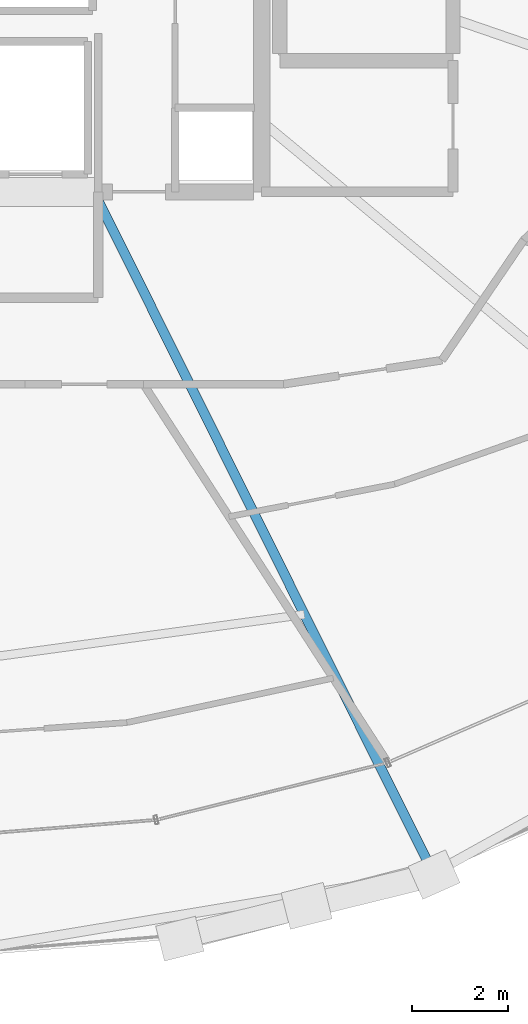
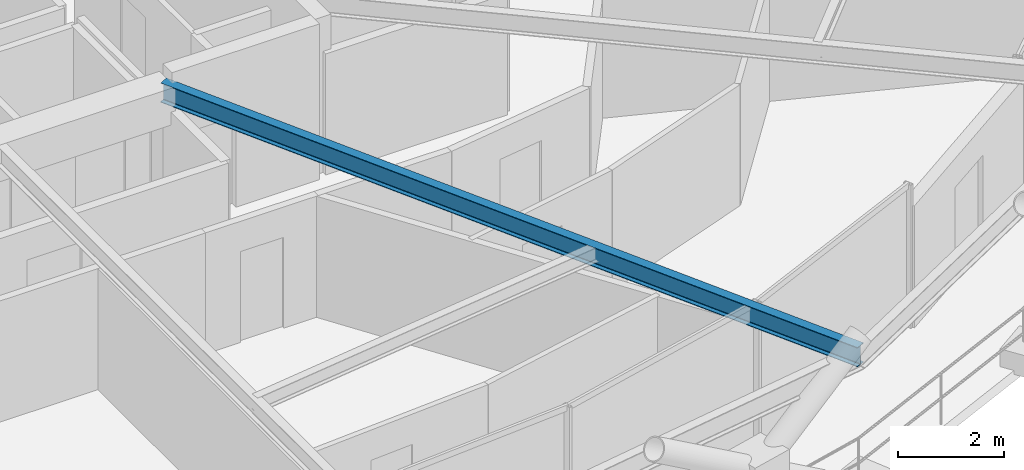
# One storey, part 6 of 19: 1 beam.
"""IFC4 building model written with IfcOpenShell, lengths in metres."""

from ifc_helpers import new_model, si_unit, direction, frame, origin, origin_2d, place, context, subcontext, project, spatial, i_section, extrude, material, material_profile, profile_set, type_object, element, save


model = new_model("IFC4")

# Units and contexts
model_context = context("Model", 3, precision=1e-05, world=origin(), true_north=direction((0.0, 1.0)))
body_context = subcontext(model_context, "Body", "Model", "MODEL_VIEW")
ifc_project = project(units=[si_unit("LENGTHUNIT", "METRE"), si_unit("AREAUNIT", "SQUARE_METRE"), si_unit("VOLUMEUNIT", "CUBIC_METRE"), si_unit("PLANEANGLEUNIT", "RADIAN"), si_unit("MASSUNIT", "GRAM", prefix="KILO")], contexts=[model_context])

# Site, building, storey
site_placement = place(None, origin())
site = spatial("IfcSite", under=ifc_project, at=site_placement, CompositionType="ELEMENT")
building_placement = place(site_placement, origin())
building = spatial("IfcBuilding", under=site, at=building_placement, Name="Veldorina Hangang Commons", CompositionType="ELEMENT")
storey_placement = place(building_placement, frame((0.0, 0.0, 160.39990234375)))
storey = spatial("IfcBuildingStorey", under=building, at=storey_placement, Name="L41", CompositionType="ELEMENT", Elevation=160.39990234375)

# Beam
ifc_material = material(Name="Steel SM355-TMC", Category="steel")
ifc_material_profile = material_profile(ifc_material, i_section(OverallWidth=0.199951171875, OverallDepth=0.449951171875, WebThickness=0.009033203125, FlangeThickness=0.013916015625, FilletRadius=0.01611328125, at=origin_2d()), Name="H-450x200x9x14")
ifc_profile_set = profile_set([ifc_material_profile], Name="Steel SM355-TMC")
beam_type = type_object("IfcBeamType", Name="BM-FG450", PredefinedType="BEAM", material=ifc_profile_set)
beam_placement = place(storey_placement, frame((35.71142578125, 16.550048828125, 3.125), z_axis=(0.445924128042, -0.8950707637, 0.0), x_axis=(0.8950707637, 0.445924128042, 0.0)))
element("IfcBeam", 1, at=beam_placement, inside=storey, type_object=beam_type, Name="L41 radial floor girder 14", PredefinedType="BEAM", context=body_context, shape_type="SweptSolid", body=[
    extrude(i_section(OverallWidth=0.199951171875, OverallDepth=0.449951171875, WebThickness=0.009033203125, FlangeThickness=0.013916015625, FilletRadius=0.01611328125, at=origin_2d()), origin(), (0.0, 0.0, 1.0), 15.833984375),
])

save(model, "model.ifc")
